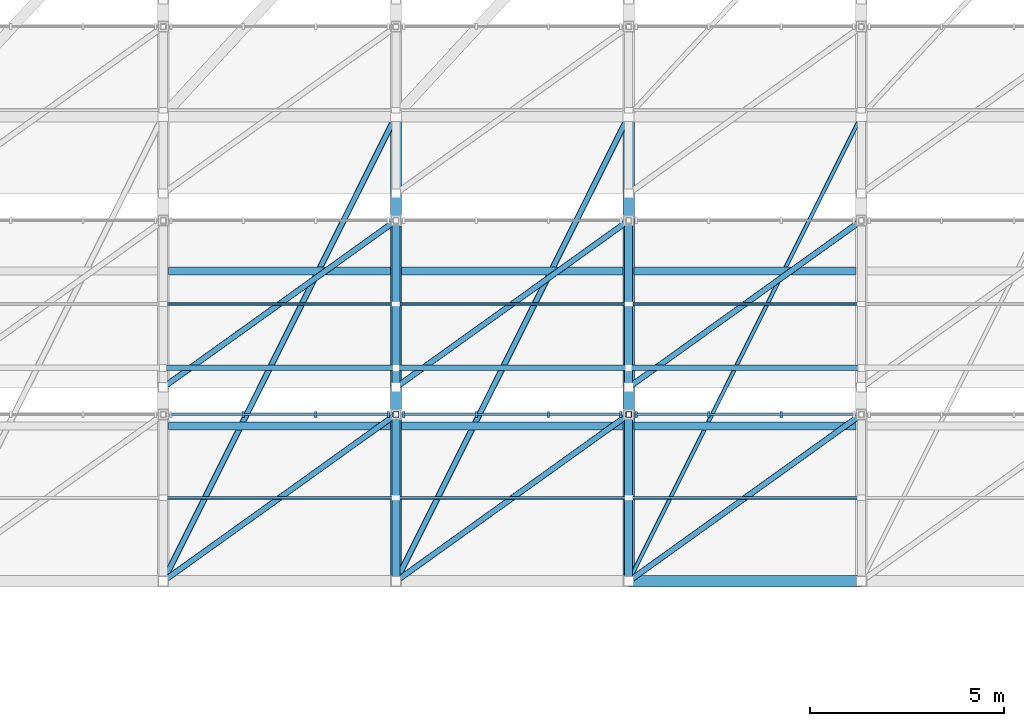
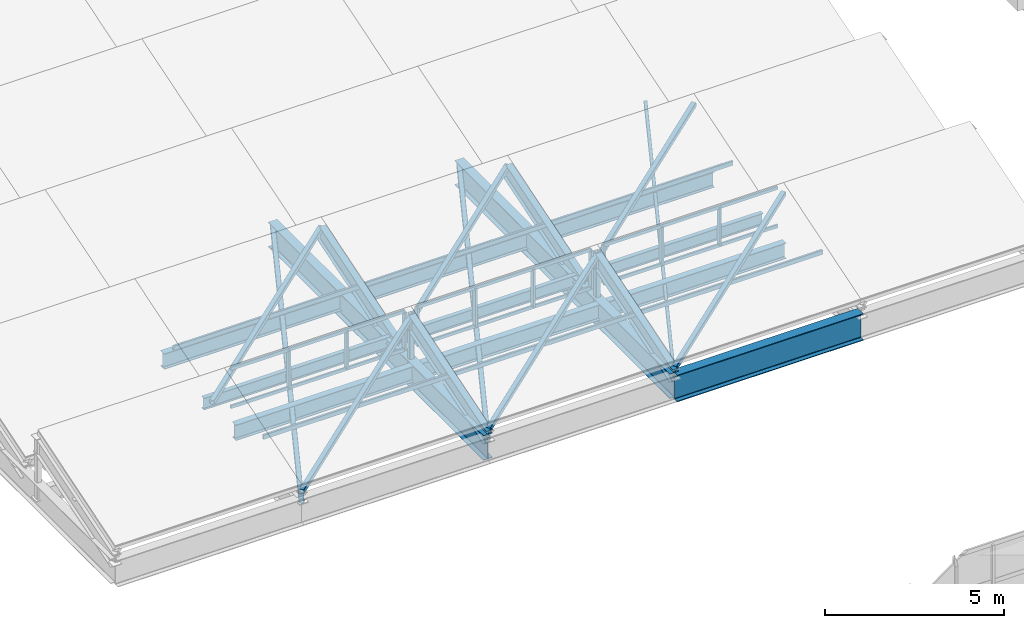
# One storey, part 12 of 48: 36 members, 13 beams, 3 elements without a shape of their own.
"""IFC4 building model written with IfcOpenShell, lengths in metres."""

from ifc_helpers import new_model, si_unit, direction, frame, origin, origin_2d, place, context, subcontext, project, spatial, rectangle, hollow_rectangle, i_section, extrude, material, layer, layer_set, material_profile, profile_set, type_object, element, aggregate, save


model = new_model("IFC4")

# Units and contexts
model_context = context("Model", 3, precision=1e-05, world=origin(), true_north=direction((0.0, 1.0)))
body_context = subcontext(model_context, "Body", "Model", "MODEL_VIEW")
ifc_project = project(units=[si_unit("LENGTHUNIT", "METRE"), si_unit("AREAUNIT", "SQUARE_METRE"), si_unit("VOLUMEUNIT", "CUBIC_METRE"), si_unit("PLANEANGLEUNIT", "RADIAN"), si_unit("MASSUNIT", "GRAM", prefix="KILO")], contexts=[model_context])

# Site, building, storey
site_placement = place(None, origin())
site = spatial("IfcSite", under=ifc_project, at=site_placement, CompositionType="ELEMENT")
building_placement = place(site_placement, origin())
building = spatial("IfcBuilding", under=site, at=building_placement, Name="Trellovar Central Fire Station", CompositionType="ELEMENT")
storey_placement = place(building_placement, frame((0.0, 0.0, 9.300048828125)))
storey = spatial("IfcBuildingStorey", under=building, at=storey_placement, Name="L03", CompositionType="ELEMENT", Elevation=9.300048828125)

# Beams
ifc_material_1 = material(Name="Steel ASTM A992 Grade 50", Category="steel")
ifc_material_profile_1 = material_profile(ifc_material_1, i_section(OverallWidth=0.3046875, OverallDepth=0.911865234375, WebThickness=0.015869140625, FlangeThickness=0.02392578125, FilletRadius=0.024169921875, at=origin_2d()), Name="W36X150")
ifc_profile_set_1 = profile_set([ifc_material_profile_1], Name="Steel ASTM A992 Grade 50")
beam_type_1 = type_object("IfcBeamType", Name="BM-SW1", PredefinedType="BEAM", material=ifc_profile_set_1)
beam_placement = place(storey_placement, frame((123.5, 48.0, -0.635986328125), z_axis=(1.0, 0.0, 0.0), x_axis=(0.0, 1.0, 0.0)))
element("IfcBeam", 1, at=beam_placement, inside=storey, type_object=beam_type_1, Name="L03 beam SB-1", PredefinedType="BEAM", context=body_context, shape_type="SweptSolid", body=[
    extrude(i_section(OverallWidth=0.3046875, OverallDepth=0.911865234375, WebThickness=0.015869140625, FlangeThickness=0.02392578125, FilletRadius=0.024169921875, at=origin_2d()), origin(), (0.0, 0.0, 1.0), 6.0),
])
ifc_material_2 = material(Name="Steel ASTM A992 Grade 50", Category="steel")
ifc_material_profile_2 = material_profile(ifc_material_2, i_section(OverallWidth=0.2919921875, OverallDepth=0.8408203125, WebThickness=0.0146484375, FlangeThickness=0.021728515625, FilletRadius=0.020263671875, at=origin_2d()), Name="W33X130")
ifc_profile_set_2 = profile_set([ifc_material_profile_2], Name="Steel ASTM A992 Grade 50")
beam_type_2 = type_object("IfcBeamType", Name="BM-SW2", PredefinedType="BEAM", material=ifc_profile_set_2)
for number, where, z_axis, x_axis, name in (
    (2, (117.5, 48.0, -0.600341796875), (0.0, 1.0, 0.0), (-1.0, 0.0, 0.0), "L03 beam SB-2"),
    (3, (123.5, 48.0, -0.600341796875), (0.0, 1.0, 0.0), (-1.0, 0.0, 0.0), "L03 beam SB-2"),
):
    element("IfcBeam", number, at=place(storey_placement, frame(where, z_axis=z_axis, x_axis=x_axis)), inside=storey, type_object=beam_type_2, Name=name, PredefinedType="BEAM", context=body_context, shape_type="SweptSolid", body=[
        extrude(i_section(OverallWidth=0.2919921875, OverallDepth=0.8408203125, WebThickness=0.0146484375, FlangeThickness=0.021728515625, FilletRadius=0.020263671875, at=origin_2d()), origin(), (0.0, 0.0, 1.0), 12.0),
    ])
ifc_material_3 = material(Name="Steel ASTM A992 Grade 50", Category="steel")
ifc_material_profile_3 = material_profile(ifc_material_3, i_section(OverallWidth=0.209228515625, OverallDepth=0.533447265625, WebThickness=0.01025390625, FlangeThickness=0.015625, FilletRadius=0.013916015625, at=origin_2d()), Name="W21X62")
ifc_profile_set_3 = profile_set([ifc_material_profile_3], Name="Steel ASTM A992 Grade 50")
beam_type_3 = type_object("IfcBeamType", Name="BM-SW7", PredefinedType="BEAM", material=ifc_profile_set_3)
for number, where, z_axis, x_axis, name in (
    (4, (111.64111328125, 52.0, -0.44677734375), (1.0, 0.0, 0.0), (0.0, 1.0, 0.0), "L03 beam SB-7"),
    (5, (111.64111328125, 56.0, -0.44677734375), (1.0, 0.0, 0.0), (0.0, 1.0, 0.0), "L03 beam SB-7"),
    (6, (117.64111328125, 52.0, -0.44677734375), (1.0, 0.0, 0.0), (0.0, 1.0, 0.0), "L03 beam SB-7"),
    (7, (117.64111328125, 56.0, -0.44677734375), (1.0, 0.0, 0.0), (0.0, 1.0, 0.0), "L03 beam SB-7"),
    (8, (123.64111328125, 52.0, -0.44677734375), (1.0, 0.0, 0.0), (0.0, 1.0, 0.0), "L03 beam SB-7"),
    (9, (123.64111328125, 56.0, -0.44677734375), (1.0, 0.0, 0.0), (0.0, 1.0, 0.0), "L03 beam SB-7"),
):
    element("IfcBeam", number, at=place(storey_placement, frame(where, z_axis=z_axis, x_axis=x_axis)), inside=storey, type_object=beam_type_3, Name=name, PredefinedType="BEAM", context=body_context, shape_type="SweptSolid", body=[
        extrude(i_section(OverallWidth=0.209228515625, OverallDepth=0.533447265625, WebThickness=0.01025390625, FlangeThickness=0.015625, FilletRadius=0.013916015625, at=origin_2d()), origin(), (0.0, 0.0, 1.0), 5.7177734375),
    ])
for number, where, z_axis, x_axis, name in (
    (10, (117.5, 48.0, -0.266845703125), (0.0, 0.954079117135, 0.299554733308), (-1.0, 0.0, 0.0), "Sawtooth steel rafter"),
    (11, (123.5, 48.0, -0.266845703125), (0.0, 0.954079117135, 0.299554733308), (-1.0, 0.0, 0.0), "Sawtooth steel rafter"),
    (12, (117.5, 53.0, -0.266845703125), (0.0, 0.954079117135, 0.299554733308), (-1.0, 0.0, 0.0), "Sawtooth steel rafter"),
    (13, (123.5, 53.0, -0.266845703125), (0.0, 0.954079117135, 0.299554733308), (-1.0, 0.0, 0.0), "Sawtooth steel rafter"),
):
    element("IfcBeam", number, at=place(storey_placement, frame(where, z_axis=z_axis, x_axis=x_axis)), inside=storey, type_object=beam_type_3, Name=name, PredefinedType="BEAM", context=body_context, shape_type="SweptSolid", body=[
        extrude(i_section(OverallWidth=0.209228515625, OverallDepth=0.533447265625, WebThickness=0.01025390625, FlangeThickness=0.015625, FilletRadius=0.013916015625, at=origin_2d()), origin(), (0.0, 0.0, 1.0), 4.507080078125),
    ])

# Curtain wall, members
ifc_material_4 = material(Name="Thermally broken bronze anodized aluminum", Category="aluminium")
ifc_layer = layer(ifc_material_4, 0.159912109375)
ifc_layer_set = layer_set([ifc_layer], Name="Thermally broken bronze anodized aluminum")
curtain_wall_type = type_object("IfcCurtainWallType", Name="CW-06", PredefinedType="NOTDEFINED", material=ifc_layer_set)
curtain_wall_1_placement = place(storey_placement, origin())
curtain_wall_1 = element("IfcCurtainWall", 14, at=curtain_wall_1_placement, inside=storey, type_object=curtain_wall_type, Name="V6 sawtooth north-light monitor 1-2", PredefinedType="NOTDEFINED")
ifc_material_5 = material(Name="Thermally broken bronze anodized aluminum", Category="aluminium")
ifc_material_profile_4 = material_profile(ifc_material_5, rectangle(XDim=0.06005859375, YDim=0.159912109375, at=origin_2d()), Name="ALU60X160")
ifc_profile_set_4 = profile_set([ifc_material_profile_4], Name="Thermally broken bronze anodized aluminum")
member_type_1 = type_object("IfcMemberType", Name="CWM-3", PredefinedType="MULLION", material=ifc_profile_set_4)
member_1_placement = place(storey_placement, frame((117.300048828125, 52.300048828125, 0.179931640625), z_axis=(0.0, 0.0, 1.0), x_axis=(1.0, 0.0, 0.0)))
member_1 = element("IfcMember", 15, at=member_1_placement, type_object=member_type_1, Name="CW3-L03-0115 mullion 1", PredefinedType="MULLION", context=body_context, shape_type="SweptSolid", body=[
    extrude(rectangle(XDim=0.06005859375, YDim=0.159912109375, at=origin_2d()), origin(), (0.0, 0.0, 1.0), 1.300048828125),
])
member_2_placement = place(storey_placement, frame((115.433349609375, 52.300048828125, 0.179931640625), z_axis=(0.0, 0.0, 1.0), x_axis=(1.0, 0.0, 0.0)))
member_2 = element("IfcMember", 16, at=member_2_placement, type_object=member_type_1, Name="CW3-L03-0115 mullion 2", PredefinedType="MULLION", context=body_context, shape_type="SweptSolid", body=[
    extrude(rectangle(XDim=0.06005859375, YDim=0.159912109375, at=origin_2d()), origin(), (0.0, 0.0, 1.0), 1.300048828125),
])
member_3_placement = place(storey_placement, frame((113.566650390625, 52.300048828125, 0.179931640625), z_axis=(0.0, 0.0, 1.0), x_axis=(1.0, 0.0, 0.0)))
member_3 = element("IfcMember", 17, at=member_3_placement, type_object=member_type_1, Name="CW3-L03-0115 mullion 3", PredefinedType="MULLION", context=body_context, shape_type="SweptSolid", body=[
    extrude(rectangle(XDim=0.06005859375, YDim=0.159912109375, at=origin_2d()), origin(), (0.0, 0.0, 1.0), 1.300048828125),
])

curtain_wall_2_placement = place(storey_placement, origin())
curtain_wall_2 = element("IfcCurtainWall", 18, at=curtain_wall_2_placement, inside=storey, type_object=curtain_wall_type, Name="V6 sawtooth north-light monitor 1-3", PredefinedType="NOTDEFINED")
member_4_placement = place(storey_placement, frame((123.300048828125, 52.300048828125, 0.179931640625), z_axis=(0.0, 0.0, 1.0), x_axis=(1.0, 0.0, 0.0)))
member_4 = element("IfcMember", 19, at=member_4_placement, type_object=member_type_1, Name="CW3-L03-0123 mullion 1", PredefinedType="MULLION", context=body_context, shape_type="SweptSolid", body=[
    extrude(rectangle(XDim=0.06005859375, YDim=0.159912109375, at=origin_2d()), origin(), (0.0, 0.0, 1.0), 1.300048828125),
])
member_5_placement = place(storey_placement, frame((121.433349609375, 52.300048828125, 0.179931640625), z_axis=(0.0, 0.0, 1.0), x_axis=(1.0, 0.0, 0.0)))
member_5 = element("IfcMember", 20, at=member_5_placement, type_object=member_type_1, Name="CW3-L03-0123 mullion 2", PredefinedType="MULLION", context=body_context, shape_type="SweptSolid", body=[
    extrude(rectangle(XDim=0.06005859375, YDim=0.159912109375, at=origin_2d()), origin(), (0.0, 0.0, 1.0), 1.300048828125),
])
member_6_placement = place(storey_placement, frame((119.566650390625, 52.300048828125, 0.179931640625), z_axis=(0.0, 0.0, 1.0), x_axis=(1.0, 0.0, 0.0)))
member_6 = element("IfcMember", 21, at=member_6_placement, type_object=member_type_1, Name="CW3-L03-0123 mullion 3", PredefinedType="MULLION", context=body_context, shape_type="SweptSolid", body=[
    extrude(rectangle(XDim=0.06005859375, YDim=0.159912109375, at=origin_2d()), origin(), (0.0, 0.0, 1.0), 1.300048828125),
])
member_7_placement = place(storey_placement, frame((117.699951171875, 52.300048828125, 0.179931640625), z_axis=(0.0, 0.0, 1.0), x_axis=(1.0, 0.0, 0.0)))
member_7 = element("IfcMember", 22, at=member_7_placement, type_object=member_type_1, Name="CW3-L03-0123 mullion 4", PredefinedType="MULLION", context=body_context, shape_type="SweptSolid", body=[
    extrude(rectangle(XDim=0.06005859375, YDim=0.159912109375, at=origin_2d()), origin(), (0.0, 0.0, 1.0), 1.300048828125),
])

curtain_wall_3_placement = place(storey_placement, origin())
curtain_wall_3 = element("IfcCurtainWall", 23, at=curtain_wall_3_placement, inside=storey, type_object=curtain_wall_type, Name="V6 sawtooth north-light monitor 1-4", PredefinedType="NOTDEFINED")
member_8_placement = place(storey_placement, frame((127.433349609375, 52.300048828125, 0.179931640625), z_axis=(0.0, 0.0, 1.0), x_axis=(1.0, 0.0, 0.0)))
member_8 = element("IfcMember", 24, at=member_8_placement, type_object=member_type_1, Name="CW3-L03-0131 mullion 2", PredefinedType="MULLION", context=body_context, shape_type="SweptSolid", body=[
    extrude(rectangle(XDim=0.06005859375, YDim=0.159912109375, at=origin_2d()), origin(), (0.0, 0.0, 1.0), 1.300048828125),
])
member_9_placement = place(storey_placement, frame((125.566650390625, 52.300048828125, 0.179931640625), z_axis=(0.0, 0.0, 1.0), x_axis=(1.0, 0.0, 0.0)))
member_9 = element("IfcMember", 25, at=member_9_placement, type_object=member_type_1, Name="CW3-L03-0131 mullion 3", PredefinedType="MULLION", context=body_context, shape_type="SweptSolid", body=[
    extrude(rectangle(XDim=0.06005859375, YDim=0.159912109375, at=origin_2d()), origin(), (0.0, 0.0, 1.0), 1.300048828125),
])
member_10_placement = place(storey_placement, frame((123.699951171875, 52.300048828125, 0.179931640625), z_axis=(0.0, 0.0, 1.0), x_axis=(1.0, 0.0, 0.0)))
member_10 = element("IfcMember", 26, at=member_10_placement, type_object=member_type_1, Name="CW3-L03-0131 mullion 4", PredefinedType="MULLION", context=body_context, shape_type="SweptSolid", body=[
    extrude(rectangle(XDim=0.06005859375, YDim=0.159912109375, at=origin_2d()), origin(), (0.0, 0.0, 1.0), 1.300048828125),
])

# Member
ifc_material_6 = material(Name="Thermally broken bronze anodized aluminum", Category="aluminium")
ifc_material_profile_5 = material_profile(ifc_material_6, rectangle(XDim=0.054931640625, YDim=0.110107421875, at=origin_2d()), Name="ALU55X110")
ifc_profile_set_5 = profile_set([ifc_material_profile_5], Name="Thermally broken bronze anodized aluminum")
member_type_2 = type_object("IfcMemberType", Name="CWT-3", PredefinedType="USERDEFINED", material=ifc_profile_set_5)
member_11_placement = place(storey_placement, frame((117.300048828125, 52.300048828125, 0.179931640625), z_axis=(-1.0, 0.0, 0.0), x_axis=(0.0, -1.0, 0.0)))
member_11 = element("IfcMember", 27, at=member_11_placement, type_object=member_type_2, Name="CW3-L03-0115 transom 1", ObjectType="TRANSOM", PredefinedType="USERDEFINED", context=body_context, shape_type="SweptSolid", body=[
    extrude(rectangle(XDim=0.054931640625, YDim=0.110107421875, at=origin_2d()), origin(), (0.0, 0.0, 1.0), 5.60009765625),
])

member_12_placement = place(storey_placement, frame((117.300048828125, 52.300048828125, 1.47998046875), z_axis=(-1.0, 0.0, 0.0), x_axis=(0.0, -1.0, 0.0)))
member_12 = element("IfcMember", 28, at=member_12_placement, type_object=member_type_2, Name="CW3-L03-0115 transom 2", ObjectType="TRANSOM", PredefinedType="USERDEFINED", context=body_context, shape_type="SweptSolid", body=[
    extrude(rectangle(XDim=0.054931640625, YDim=0.110107421875, at=origin_2d()), origin(), (0.0, 0.0, 1.0), 5.60009765625),
])

aggregate(curtain_wall_1, [member_1, member_2, member_3, member_11, member_12])

member_13_placement = place(storey_placement, frame((123.300048828125, 52.300048828125, 0.179931640625), z_axis=(-1.0, 0.0, 0.0), x_axis=(0.0, -1.0, 0.0)))
member_13 = element("IfcMember", 29, at=member_13_placement, type_object=member_type_2, Name="CW3-L03-0123 transom 1", ObjectType="TRANSOM", PredefinedType="USERDEFINED", context=body_context, shape_type="SweptSolid", body=[
    extrude(rectangle(XDim=0.054931640625, YDim=0.110107421875, at=origin_2d()), origin(), (0.0, 0.0, 1.0), 5.60009765625),
])

member_14_placement = place(storey_placement, frame((123.300048828125, 52.300048828125, 1.47998046875), z_axis=(-1.0, 0.0, 0.0), x_axis=(0.0, -1.0, 0.0)))
member_14 = element("IfcMember", 30, at=member_14_placement, type_object=member_type_2, Name="CW3-L03-0123 transom 2", ObjectType="TRANSOM", PredefinedType="USERDEFINED", context=body_context, shape_type="SweptSolid", body=[
    extrude(rectangle(XDim=0.054931640625, YDim=0.110107421875, at=origin_2d()), origin(), (0.0, 0.0, 1.0), 5.60009765625),
])

aggregate(curtain_wall_2, [member_4, member_5, member_6, member_7, member_13, member_14])

member_15_placement = place(storey_placement, frame((129.300048828125, 52.300048828125, 0.179931640625), z_axis=(-1.0, 0.0, 0.0), x_axis=(0.0, -1.0, 0.0)))
member_15 = element("IfcMember", 31, at=member_15_placement, type_object=member_type_2, Name="CW3-L03-0131 transom 1", ObjectType="TRANSOM", PredefinedType="USERDEFINED", context=body_context, shape_type="SweptSolid", body=[
    extrude(rectangle(XDim=0.054931640625, YDim=0.110107421875, at=origin_2d()), origin(), (0.0, 0.0, 1.0), 5.60009765625),
])

member_16_placement = place(storey_placement, frame((129.300048828125, 52.300048828125, 1.47998046875), z_axis=(-1.0, 0.0, 0.0), x_axis=(0.0, -1.0, 0.0)))
member_16 = element("IfcMember", 32, at=member_16_placement, type_object=member_type_2, Name="CW3-L03-0131 transom 2", ObjectType="TRANSOM", PredefinedType="USERDEFINED", context=body_context, shape_type="SweptSolid", body=[
    extrude(rectangle(XDim=0.054931640625, YDim=0.110107421875, at=origin_2d()), origin(), (0.0, 0.0, 1.0), 5.60009765625),
])

aggregate(curtain_wall_3, [member_8, member_9, member_10, member_15, member_16])

# Members
ifc_material_7 = material(Name="Steel ASTM A500 Grade C", Category="steel")
ifc_material_profile_6 = material_profile(ifc_material_7, hollow_rectangle(XDim=0.15234375, YDim=0.15234375, WallThickness=0.005859375, InnerFilletRadius=0.005859375, OuterFilletRadius=0.01171875, at=origin_2d()), Name="HSS6X6X1/4")
ifc_profile_set_6 = profile_set([ifc_material_profile_6], Name="Steel ASTM A500 Grade C")
member_type_3 = type_object("IfcMemberType", Name="MEM-BR1", PredefinedType="BRACE", material=ifc_profile_set_6)
for number, where, z_axis, x_axis, name in (
    (33, (111.5, 48.0, -0.02001953125), (0.801405151762, 0.574346880614, 0.166959406617), (-0.582523311563, 0.812813995626, 0.0), "Sawtooth roof plane diagonal brace"),
    (34, (117.5, 48.0, -0.02001953125), (0.801405151762, 0.574346880614, 0.166959406617), (-0.582523311563, 0.812813995626, 0.0), "Sawtooth roof plane diagonal brace"),
    (35, (123.5, 48.0, -0.02001953125), (0.801405151762, 0.574346880614, 0.166959406617), (-0.582523311563, 0.812813995626, 0.0), "Sawtooth roof plane diagonal brace"),
    (36, (111.5, 53.0, -0.02001953125), (0.801405151762, 0.574346880614, 0.166959406617), (-0.582523311563, 0.812813995626, 0.0), "Sawtooth roof plane diagonal brace"),
    (37, (117.5, 53.0, -0.02001953125), (0.801405151762, 0.574346880614, 0.166959406617), (-0.582523311563, 0.812813995626, 0.0), "Sawtooth roof plane diagonal brace"),
    (38, (123.5, 53.0, -0.02001953125), (0.801405151762, 0.574346880614, 0.166959406617), (-0.582523311563, 0.812813995626, 0.0), "Sawtooth roof plane diagonal brace"),
):
    element("IfcMember", number, at=place(storey_placement, frame(where, z_axis=z_axis, x_axis=x_axis)), inside=storey, type_object=member_type_3, Name=name, PredefinedType="BRACE", context=body_context, shape_type="SweptSolid", body=[
        extrude(hollow_rectangle(XDim=0.15234375, YDim=0.15234375, WallThickness=0.005859375, InnerFilletRadius=0.005859375, OuterFilletRadius=0.01171875, at=origin_2d()), origin(), (0.0, 0.0, 1.0), 7.48681640625),
    ])
ifc_material_8 = material(Name="Steel ASTM A500 Grade C", Category="steel")
ifc_material_profile_7 = material_profile(ifc_material_8, hollow_rectangle(XDim=0.1015625, YDim=0.1015625, WallThickness=0.005859375, InnerFilletRadius=0.005859375, OuterFilletRadius=0.01171875, at=origin_2d()), Name="HSS4X4X1/4")
ifc_profile_set_7 = profile_set([ifc_material_profile_7], Name="Steel ASTM A500 Grade C")
member_type_4 = type_object("IfcMemberType", Name="MEM-BR3", PredefinedType="BRACE", material=ifc_profile_set_7)
member_17_placement = place(storey_placement, frame((123.5, 48.0, -0.35009765625), z_axis=(0.4472135955, 0.894427191, 0.0), x_axis=(-0.894427191, 0.4472135955, 0.0)))
element("IfcMember", 39, at=member_17_placement, inside=storey, type_object=member_type_4, Name="V6 high-bay tie strut", PredefinedType="BRACE", context=body_context, shape_type="SweptSolid", body=[
    extrude(hollow_rectangle(XDim=0.1015625, YDim=0.1015625, WallThickness=0.005859375, InnerFilletRadius=0.005859375, OuterFilletRadius=0.01171875, at=origin_2d()), origin(), (0.0, 0.0, 1.0), 13.41650390625),
])
ifc_material_9 = material(Name="Steel ASTM A500 Grade C", Category="steel")
ifc_material_profile_8 = material_profile(ifc_material_9, hollow_rectangle(XDim=0.076171875, YDim=0.15234375, WallThickness=0.005859375, InnerFilletRadius=0.005859375, OuterFilletRadius=0.01171875, at=origin_2d()), Name="HSS6X3X1/4")
ifc_profile_set_8 = profile_set([ifc_material_profile_8], Name="Steel ASTM A500 Grade C")
member_type_5 = type_object("IfcMemberType", Name="MEM-PU2", PredefinedType="PURLIN", material=ifc_profile_set_8)
for number, where, z_axis, x_axis, name in (
    (40, (111.5, 50.14990234375, 0.530029296875), (1.0, 0.0, 0.0), (0.0, 1.0, 0.0), "Sawtooth steel purlin"),
    (41, (117.5, 50.14990234375, 0.530029296875), (1.0, 0.0, 0.0), (0.0, 1.0, 0.0), "Sawtooth steel purlin"),
    (42, (123.5, 50.14990234375, 0.530029296875), (1.0, 0.0, 0.0), (0.0, 1.0, 0.0), "Sawtooth steel purlin"),
    (43, (111.5, 55.14990234375, 0.530029296875), (1.0, 0.0, 0.0), (0.0, 1.0, 0.0), "Sawtooth steel purlin"),
    (44, (117.5, 55.14990234375, 0.530029296875), (1.0, 0.0, 0.0), (0.0, 1.0, 0.0), "Sawtooth steel purlin"),
    (45, (123.5, 55.14990234375, 0.530029296875), (1.0, 0.0, 0.0), (0.0, 1.0, 0.0), "Sawtooth steel purlin"),
):
    element("IfcMember", number, at=place(storey_placement, frame(where, z_axis=z_axis, x_axis=x_axis)), inside=storey, type_object=member_type_5, Name=name, PredefinedType="PURLIN", context=body_context, shape_type="SweptSolid", body=[
        extrude(hollow_rectangle(XDim=0.076171875, YDim=0.15234375, WallThickness=0.005859375, InnerFilletRadius=0.005859375, OuterFilletRadius=0.01171875, at=origin_2d()), origin(), (0.0, 0.0, 1.0), 6.0),
    ])
ifc_material_10 = material(Name="Steel ASTM A992 Grade 50", Category="steel")
ifc_material_profile_9 = material_profile(ifc_material_10, i_section(OverallWidth=0.140380859375, OverallDepth=0.4033203125, WebThickness=0.007080078125, FlangeThickness=0.01123046875, FilletRadius=0.011474609375, at=origin_2d()), Name="W16X31")
ifc_profile_set_9 = profile_set([ifc_material_profile_9], Name="Steel ASTM A992 Grade 50")
member_type_6 = type_object("IfcMemberType", Name="MEM-PU3", PredefinedType="PURLIN", material=ifc_profile_set_9)
for number, where, z_axis, x_axis, name in (
    (46, (111.5, 53.5, -0.35009765625), (1.0, 0.0, 0.0), (0.0, 1.0, 0.0), "V6 high-bay W16X31 purlin"),
    (47, (117.5, 53.5, -0.35009765625), (1.0, 0.0, 0.0), (0.0, 1.0, 0.0), "V6 high-bay W16X31 purlin"),
    (48, (123.5, 53.5, -0.35009765625), (1.0, 0.0, 0.0), (0.0, 1.0, 0.0), "V6 high-bay W16X31 purlin"),
):
    element("IfcMember", number, at=place(storey_placement, frame(where, z_axis=z_axis, x_axis=x_axis)), inside=storey, type_object=member_type_6, Name=name, PredefinedType="PURLIN", context=body_context, shape_type="SweptSolid", body=[
        extrude(i_section(OverallWidth=0.140380859375, OverallDepth=0.4033203125, WebThickness=0.007080078125, FlangeThickness=0.01123046875, FilletRadius=0.011474609375, at=origin_2d()), origin(), (0.0, 0.0, 1.0), 6.0),
    ])
ifc_material_11 = material(Name="Steel ASTM A500 Grade C", Category="steel")
ifc_material_profile_10 = material_profile(ifc_material_11, hollow_rectangle(XDim=0.15234375, YDim=0.15234375, WallThickness=0.0087890625, InnerFilletRadius=0.0087890625, OuterFilletRadius=0.017822265625, at=origin_2d()), Name="HSS6X6X3/8")
ifc_profile_set_10 = profile_set([ifc_material_profile_10], Name="Steel ASTM A500 Grade C")
member_type_7 = type_object("IfcMemberType", Name="MEM-ST1", PredefinedType="STRUT", material=ifc_profile_set_10)
for number, where, z_axis, x_axis, name in (
    (49, (111.5, 48.0, -0.35009765625), (0.4472135955, 0.894427191, 0.0), (-0.894427191, 0.4472135955, 0.0), "V6 high-bay tie strut"),
    (50, (117.5, 48.0, -0.35009765625), (0.4472135955, 0.894427191, 0.0), (-0.894427191, 0.4472135955, 0.0), "V6 high-bay tie strut"),
):
    element("IfcMember", number, at=place(storey_placement, frame(where, z_axis=z_axis, x_axis=x_axis)), inside=storey, type_object=member_type_7, Name=name, PredefinedType="STRUT", context=body_context, shape_type="SweptSolid", body=[
        extrude(hollow_rectangle(XDim=0.15234375, YDim=0.15234375, WallThickness=0.0087890625, InnerFilletRadius=0.0087890625, OuterFilletRadius=0.017822265625, at=origin_2d()), origin(), (0.0, 0.0, 1.0), 13.41650390625),
    ])
for number, where, z_axis, x_axis, name in (
    (51, (117.5, 52.300048828125, -0.75), (0.0, 0.0, 1.0), (1.0, 0.0, 0.0), "Sawtooth monitor vertical post"),
    (52, (123.5, 52.300048828125, -0.75), (0.0, 0.0, 1.0), (1.0, 0.0, 0.0), "Sawtooth monitor vertical post"),
):
    element("IfcMember", number, at=place(storey_placement, frame(where, z_axis=z_axis, x_axis=x_axis)), inside=storey, type_object=member_type_7, Name=name, PredefinedType="STRUT", context=body_context, shape_type="SweptSolid", body=[
        extrude(hollow_rectangle(XDim=0.15234375, YDim=0.15234375, WallThickness=0.0087890625, InnerFilletRadius=0.0087890625, OuterFilletRadius=0.017822265625, at=origin_2d()), origin(), (0.0, 0.0, 1.0), 2.099853515625),
    ])

save(model, "model.ifc")
